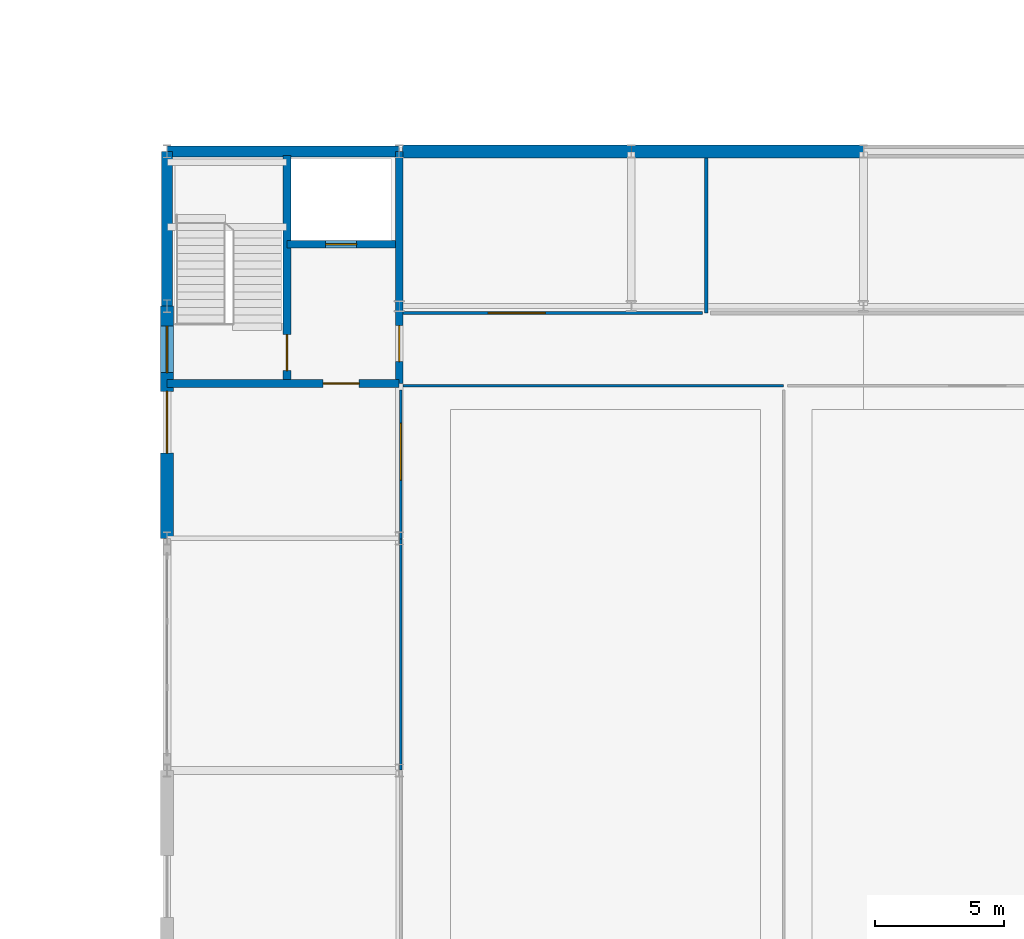
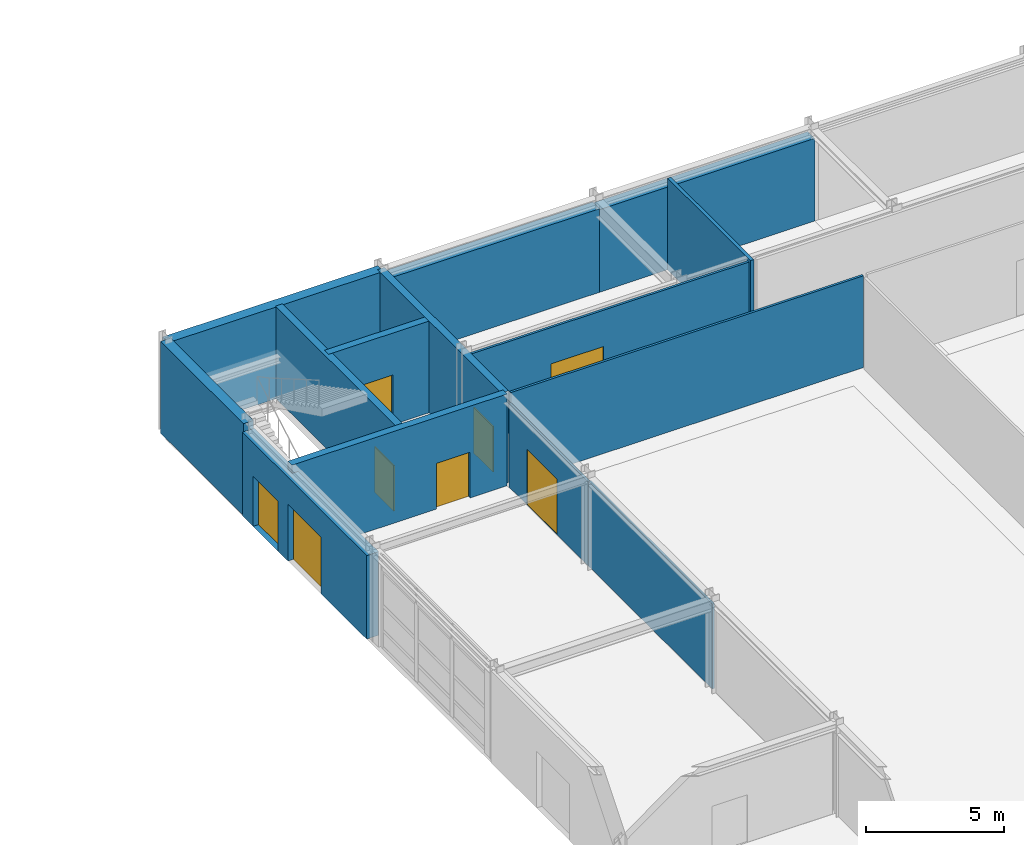
# One storey, part 64 of 72: 14 walls, 8 doors, 8 openings.
"""IFC4 building model written with IfcOpenShell, lengths in metres."""

from ifc_helpers import new_model, si_unit, direction, frame, frame_2d, origin, place, context, subcontext, project, spatial, rectangle, extrude, material, layer, layer_set, type_object, element, fill, save


model = new_model("IFC4")

# Units and contexts
model_context = context("Model", 3, precision=1e-05, world=origin(), true_north=direction((0.0, 1.0)))
body_context = subcontext(model_context, "Body", "Model", "MODEL_VIEW")
ifc_project = project(units=[si_unit("LENGTHUNIT", "METRE"), si_unit("AREAUNIT", "SQUARE_METRE"), si_unit("VOLUMEUNIT", "CUBIC_METRE"), si_unit("PLANEANGLEUNIT", "RADIAN"), si_unit("MASSUNIT", "GRAM", prefix="KILO")], contexts=[model_context])

# Site, building, storey
site_placement = place(None, origin())
site = spatial("IfcSite", under=ifc_project, at=site_placement, CompositionType="ELEMENT")
building_placement = place(site_placement, origin())
building = spatial("IfcBuilding", under=site, at=building_placement, Name="Palais des Congres Ocreval", CompositionType="ELEMENT")
storey_placement = place(building_placement, origin())
storey = spatial("IfcBuildingStorey", under=building, at=storey_placement, Name="L00", CompositionType="ELEMENT", Elevation=0.0)

# Wall, openings, doors
ifc_material_1 = material(Name="Concrete C40/50", Category="concrete")
ifc_layer_1 = layer(ifc_material_1, 0.5)
ifc_layer_set_1 = layer_set([ifc_layer_1], Name="Acoustic Ballroom Wall 500 Concrete C40/50")
wall_type_1 = type_object("IfcWallType", Name="Acoustic Ballroom Wall 500 Concrete C40/50", PredefinedType="SOLIDWALL", material=ifc_layer_set_1)
wall_1_placement = place(storey_placement, frame((99.0, 99.0, 0.0), z_axis=(0.0, 0.0, 1.0), x_axis=(0.0, 1.0, 0.0)))
wall_1 = element("IfcWall", 1, at=wall_1_placement, inside=storey, type_object=wall_type_1, Name="Exterior Wall EW01 L00", PredefinedType="SOLIDWALL", context=body_context, shape_type="SweptSolid", body=[
    extrude(rectangle(XDim=9.0, YDim=0.5, at=frame_2d((4.5, 0.0))), origin(), (0.0, 0.0, 1.0), 3.695068359375),
])
opening_1_placement = place(wall_1_placement, frame((6.425048828125, 0.0, 0.0)))
opening_1 = element("IfcOpeningElement", 2, at=opening_1_placement, cuts=wall_1, Name="Opening ED04", PredefinedType="OPENING", context=body_context, shape_type="SweptSolid", body=[
    extrude(rectangle(XDim=1.800048828125, YDim=2.199951171875, at=frame_2d((0.89990234375, 1.10009765625))), frame((0.0, 0.260009765625, 0.0), z_axis=(0.0, -1.0, 0.0), x_axis=(1.0, 0.0, 0.0)), (0.0, 0.0, 1.0), 0.52001953125),
])
opening_2_placement = place(wall_1_placement, frame((3.300048828125, 0.0, 0.0)))
opening_2 = element("IfcOpeningElement", 3, at=opening_2_placement, cuts=wall_1, Name="Opening ED03", PredefinedType="OPENING", context=body_context, shape_type="SweptSolid", body=[
    extrude(rectangle(XDim=2.39990234375, YDim=2.5, at=frame_2d((1.199951171875, 1.25))), frame((0.0, 0.260009765625, 0.0), z_axis=(0.0, -1.0, 0.0), x_axis=(1.0, 0.0, 0.0)), (0.0, 0.0, 1.0), 0.52001953125),
])
ifc_material_2 = material(Name="Anodized bronze aluminium and safety glass", Category="aluminium")
door_type_1 = type_object("IfcDoorType", Name="Ballroom Final Exit Door 2400x2500", OperationType="NOTDEFINED", PredefinedType="DOOR", material=ifc_material_2)
door_1_placement = place(opening_2_placement, origin())
door_1 = element("IfcDoor", 4, at=door_1_placement, inside=storey, type_object=door_type_1, Name="Pedestrian Final Exit Door E21", OperationType="DOUBLE_DOOR_SINGLE_SWING", OverallHeight=2.5, OverallWidth=2.39990234375, PredefinedType="DOOR", context=body_context, shape_type="SweptSolid", body=[
    extrude(rectangle(XDim=2.39990234375, YDim=2.5, at=frame_2d((1.199951171875, 1.25))), frame((0.0, 0.02490234375, 0.0), z_axis=(0.0, -1.0, 0.0), x_axis=(1.0, 0.0, 0.0)), (0.0, 0.0, 1.0), 0.050048828125),
])
fill(opening_2, door_1)
door_type_2 = type_object("IfcDoorType", Name="Stair Street Discharge Door 1800x2200", OperationType="NOTDEFINED", PredefinedType="DOOR", material=ifc_material_2)
door_2_placement = place(opening_1_placement, origin())
door_2 = element("IfcDoor", 5, at=door_2_placement, inside=storey, type_object=door_type_2, Name="Stair Final Exit Discharge Door ST07", OperationType="DOUBLE_DOOR_SINGLE_SWING", OverallHeight=2.199951171875, OverallWidth=1.800048828125, PredefinedType="DOOR", context=body_context, shape_type="SweptSolid", body=[
    extrude(rectangle(XDim=1.800048828125, YDim=2.199951171875, at=frame_2d((0.89990234375, 1.10009765625))), frame((0.0, 0.02490234375, 0.0), z_axis=(0.0, -1.0, 0.0), x_axis=(1.0, 0.0, 0.0)), (0.0, 0.0, 1.0), 0.050048828125),
])
fill(opening_1, door_2)

# Walls
wall_2_placement = place(storey_placement, frame((108.1298828125, 114.0, 0.0), z_axis=(0.0, 0.0, 1.0), x_axis=(1.0, 0.0, 0.0)))
element("IfcWall", 6, at=wall_2_placement, inside=storey, type_object=wall_type_1, Name="Exterior Wall EW01 L00", PredefinedType="SOLIDWALL", context=body_context, shape_type="SweptSolid", body=[
    extrude(rectangle(XDim=8.8701171875, YDim=0.5, at=frame_2d((4.43505859375, 0.0))), origin(), (0.0, 0.0, 1.0), 3.695068359375),
])
wall_3_placement = place(storey_placement, frame((117.0, 114.0, 0.0), z_axis=(0.0, 0.0, 1.0), x_axis=(1.0, 0.0, 0.0)))
element("IfcWall", 7, at=wall_3_placement, inside=storey, type_object=wall_type_1, Name="Exterior Wall EW01 L00", PredefinedType="SOLIDWALL", context=body_context, shape_type="SweptSolid", body=[
    extrude(rectangle(XDim=9.0, YDim=0.5, at=frame_2d((4.5, 0.0))), origin(), (0.0, 0.0, 1.0), 3.655029296875),
])
ifc_material_3 = material(Name="Moisture-resistant gypsum board")
ifc_layer_2 = layer(ifc_material_3, 0.139892578125)
ifc_layer_set_2 = layer_set([ifc_layer_2], Name="Bathroom Plumbing Chase Wall 140 Gypsum (Moisture-resistant gypsum board)")
wall_type_2 = type_object("IfcWallType", Name="Bathroom Plumbing Chase Wall 140 Gypsum", PredefinedType="PLUMBINGWALL", material=ifc_layer_set_2)
wall_4_placement = place(storey_placement, frame((119.909912109375, 107.739990234375, 0.0), z_axis=(0.0, 0.0, 1.0), x_axis=(0.0, 1.0, 0.0)))
element("IfcWall", 8, at=wall_4_placement, inside=storey, type_object=wall_type_2, Name="Interior Partition PW03 L00", PredefinedType="PLUMBINGWALL", context=body_context, shape_type="SweptSolid", body=[
    extrude(rectangle(XDim=6.005126953125, YDim=0.139892578125, at=frame_2d((3.00244140625, 0.0))), origin(), (0.0, 0.0, 1.0), 4.054931640625),
])
ifc_layer_3 = layer(ifc_material_1, 0.419921875)
ifc_layer_set_3 = layer_set([ifc_layer_3], Name="Congress Stone Facade Wall 420 Concrete C40/50")
wall_type_3 = type_object("IfcWallType", Name="Congress Stone Facade Wall 420 Concrete C40/50", PredefinedType="SOLIDWALL", material=ifc_layer_set_3)
wall_5_placement = place(storey_placement, frame((99.0, 108.0, 0.0), z_axis=(0.0, 0.0, 1.0), x_axis=(0.0, 1.0, 0.0)))
element("IfcWall", 9, at=wall_5_placement, inside=storey, type_object=wall_type_3, Name="Core Perimeter Shear Wall EW02 SC07 L00", PredefinedType="SOLIDWALL", context=body_context, shape_type="SweptSolid", body=[
    extrude(rectangle(XDim=6.0, YDim=0.419921875, at=frame_2d((3.0, 0.0))), origin(), (0.0, 0.0, 1.0), 4.054931640625),
])
wall_6_placement = place(storey_placement, frame((99.0, 114.0, 0.0), z_axis=(0.0, 0.0, 1.0), x_axis=(1.0, 0.0, 0.0)))
element("IfcWall", 10, at=wall_6_placement, inside=storey, type_object=wall_type_3, Name="Core Perimeter Shear Wall EW02 SC07 L00", PredefinedType="SOLIDWALL", context=body_context, shape_type="SweptSolid", body=[
    extrude(rectangle(XDim=9.0, YDim=0.419921875, at=frame_2d((4.5, 0.0))), origin(), (0.0, 0.0, 1.0), 4.054931640625),
])

# Wall, opening, door
ifc_layer_4 = layer(ifc_material_1, 0.300048828125)
ifc_layer_set_4 = layer_set([ifc_layer_4], Name="Core Shear Wall 300 Concrete C40/50")
wall_type_4 = type_object("IfcWallType", Name="Core Shear Wall 300 Concrete C40/50", PredefinedType="SHEAR", material=ifc_layer_set_4)
wall_7_placement = place(storey_placement, frame((99.0, 105.0, 0.0), z_axis=(0.0, 0.0, 1.0), x_axis=(1.0, 0.0, 0.0)))
wall_7 = element("IfcWall", 11, at=wall_7_placement, inside=storey, type_object=wall_type_4, Name="Core Shear Wall SC07 L00 S", PredefinedType="SHEAR", context=body_context, shape_type="SweptSolid", body=[
    extrude(rectangle(XDim=9.0, YDim=0.300048828125, at=frame_2d((4.5, 0.0))), origin(), (0.0, 0.0, 1.0), 4.054931640625),
])
opening_3_placement = place(wall_7_placement, frame((6.050048828125, 0.0, 0.0)))
opening_3 = element("IfcOpeningElement", 12, at=opening_3_placement, cuts=wall_7, Name="Opening D03", PredefinedType="OPENING", context=body_context, shape_type="SweptSolid", body=[
    extrude(rectangle(XDim=1.39990234375, YDim=2.02001953125, at=frame_2d((0.699951171875, 1.010009765625))), frame((0.0, 0.159912109375, 0.0), z_axis=(0.0, -1.0, 0.0), x_axis=(1.0, 0.0, 0.0)), (0.0, 0.0, 1.0), 0.320068359375),
])
ifc_material_4 = material(Name="Painted fire-rated steel", Category="steel")
door_type_3 = type_object("IfcDoorType", Name="Core Lobby Rated Door 1400x2020", OperationType="NOTDEFINED", PredefinedType="DOOR", material=ifc_material_4)
door_3_placement = place(opening_3_placement, origin())
door_3 = element("IfcDoor", 13, at=door_3_placement, inside=storey, type_object=door_type_3, Name="Lobby Entrance Door SC07 L00", OperationType="DOUBLE_DOOR_SINGLE_SWING", OverallHeight=2.02001953125, OverallWidth=1.39990234375, PredefinedType="DOOR", context=body_context, shape_type="SweptSolid", body=[
    extrude(rectangle(XDim=1.39990234375, YDim=2.02001953125, at=frame_2d((0.699951171875, 1.010009765625))), frame((0.0, 0.02490234375, 0.0), z_axis=(0.0, -1.0, 0.0), x_axis=(1.0, 0.0, 0.0)), (0.0, 0.0, 1.0), 0.050048828125),
])
fill(opening_3, door_3)

wall_8_placement = place(storey_placement, frame((108.0, 105.0, 0.0), z_axis=(0.0, 0.0, 1.0), x_axis=(0.0, 1.0, 0.0)))
wall_8 = element("IfcWall", 14, at=wall_8_placement, inside=storey, type_object=wall_type_4, Name="Core Shear Wall SC07 L00 E", PredefinedType="SHEAR", context=body_context, shape_type="SweptSolid", body=[
    extrude(rectangle(XDim=9.0, YDim=0.300048828125, at=frame_2d((4.5, 0.0))), origin(), (0.0, 0.0, 1.0), 4.054931640625),
])
opening_4_placement = place(wall_8_placement, frame((0.85009765625, 0.0, 0.0)))
opening_4 = element("IfcOpeningElement", 15, at=opening_4_placement, cuts=wall_8, Name="Opening D03", PredefinedType="OPENING", context=body_context, shape_type="SweptSolid", body=[
    extrude(rectangle(XDim=1.39990234375, YDim=2.02001953125, at=frame_2d((0.699951171875, 1.010009765625))), frame((0.0, 0.159912109375, 0.0), z_axis=(0.0, -1.0, 0.0), x_axis=(1.0, 0.0, 0.0)), (0.0, 0.0, 1.0), 0.320068359375),
])
door_4_placement = place(opening_4_placement, origin())
door_4 = element("IfcDoor", 16, at=door_4_placement, inside=storey, type_object=door_type_3, Name="Ballroom Concourse Lobby Door SC07 L00", OperationType="SINGLE_SWING_LEFT", OverallHeight=2.02001953125, OverallWidth=1.39990234375, PredefinedType="DOOR", context=body_context, shape_type="SweptSolid", body=[
    extrude(rectangle(XDim=1.39990234375, YDim=2.02001953125, at=frame_2d((0.699951171875, 1.010009765625))), frame((0.0, 0.02490234375, 0.0), z_axis=(0.0, -1.0, 0.0), x_axis=(1.0, 0.0, 0.0)), (0.0, 0.0, 1.0), 0.050048828125),
])
fill(opening_4, door_4)

wall_9_placement = place(storey_placement, frame((103.64990234375, 105.14990234375, 0.0), z_axis=(0.0, 0.0, 1.0), x_axis=(0.0, 1.0, 0.0)))
wall_9 = element("IfcWall", 17, at=wall_9_placement, inside=storey, type_object=wall_type_4, Name="Core Spine Shear Wall SC07 L00", PredefinedType="SHEAR", context=body_context, shape_type="SweptSolid", body=[
    extrude(rectangle(XDim=8.7001953125, YDim=0.300048828125, at=frame_2d((4.35009765625, 0.0))), origin(), (0.0, 0.0, 1.0), 4.054931640625),
])
opening_5_placement = place(wall_9_placement, frame((0.35009765625, 0.0, 0.0)))
opening_5 = element("IfcOpeningElement", 18, at=opening_5_placement, cuts=wall_9, Name="Opening D03", PredefinedType="OPENING", context=body_context, shape_type="SweptSolid", body=[
    extrude(rectangle(XDim=1.39990234375, YDim=2.02001953125, at=frame_2d((0.699951171875, 1.010009765625))), frame((0.0, 0.159912109375, 0.0), z_axis=(0.0, -1.0, 0.0), x_axis=(1.0, 0.0, 0.0)), (0.0, 0.0, 1.0), 0.320068359375),
])
door_5_placement = place(opening_5_placement, origin())
door_5 = element("IfcDoor", 19, at=door_5_placement, inside=storey, type_object=door_type_3, Name="Protected Exit Stair Door ST07 L00", OperationType="SINGLE_SWING_LEFT", OverallHeight=2.02001953125, OverallWidth=1.39990234375, PredefinedType="DOOR", context=body_context, shape_type="SweptSolid", body=[
    extrude(rectangle(XDim=1.39990234375, YDim=2.02001953125, at=frame_2d((0.699951171875, 1.010009765625))), frame((0.0, 0.02490234375, 0.0), z_axis=(0.0, -1.0, 0.0), x_axis=(1.0, 0.0, 0.0)), (0.0, 0.0, 1.0), 0.050048828125),
])
fill(opening_5, door_5)

wall_10_placement = place(storey_placement, frame((103.64990234375, 110.39990234375, 0.0), z_axis=(0.0, 0.0, 1.0), x_axis=(1.0, 0.0, 0.0)))
wall_10 = element("IfcWall", 20, at=wall_10_placement, inside=storey, type_object=wall_type_4, Name="Lift Shaft Front Wall SC07 L00", PredefinedType="SHEAR", context=body_context, shape_type="SweptSolid", body=[
    extrude(rectangle(XDim=4.2001953125, YDim=0.300048828125, at=frame_2d((2.10009765625, 0.0))), origin(), (0.0, 0.0, 1.0), 4.054931640625),
])
opening_6_placement = place(wall_10_placement, frame((1.5, 0.0, 0.0)))
opening_6 = element("IfcOpeningElement", 21, at=opening_6_placement, cuts=wall_10, Name="Opening LD02", PredefinedType="OPENING", context=body_context, shape_type="SweptSolid", body=[
    extrude(rectangle(XDim=1.199951171875, YDim=2.199951171875, at=frame_2d((0.60009765625, 1.10009765625))), frame((0.0, 0.159912109375, 0.0), z_axis=(0.0, -1.0, 0.0), x_axis=(1.0, 0.0, 0.0)), (0.0, 0.0, 1.0), 0.320068359375),
])
ifc_material_5 = material(Name="Anodized bronze steel", Category="steel")
door_type_4 = type_object("IfcDoorType", Name="Passenger and Service Lift Sliding Door 1200x2200", OperationType="NOTDEFINED", PredefinedType="DOOR", material=ifc_material_5)
door_6_placement = place(opening_6_placement, origin())
door_6 = element("IfcDoor", 22, at=door_6_placement, inside=storey, type_object=door_type_4, Name="Lift Landing Sliding Door CL2 L00", OperationType="DOUBLE_DOOR_SLIDING", OverallHeight=2.199951171875, OverallWidth=1.199951171875, PredefinedType="DOOR", context=body_context, shape_type="SweptSolid", body=[
    extrude(rectangle(XDim=1.199951171875, YDim=2.199951171875, at=frame_2d((0.60009765625, 1.10009765625))), frame((0.0, 0.02490234375, 0.0), z_axis=(0.0, -1.0, 0.0), x_axis=(1.0, 0.0, 0.0)), (0.0, 0.0, 1.0), 0.050048828125),
])
fill(opening_6, door_6)

# Wall
ifc_material_6 = material(Name="Gypsum board partition")
ifc_layer_5 = layer(ifc_material_6, 0.10009765625)
ifc_layer_set_5 = layer_set([ifc_layer_5], Name="Operable Pocket Lining Wall 100 Gypsum (Gypsum board partition)")
wall_type_5 = type_object("IfcWallType", Name="Operable Pocket Lining Wall 100 Gypsum", PredefinedType="PARTITIONING", material=ifc_layer_set_5)
wall_11_placement = place(storey_placement, frame((108.155029296875, 104.909912109375, 0.0), z_axis=(0.0, 0.0, 1.0), x_axis=(1.0, 0.0, 0.0)))
element("IfcWall", 23, at=wall_11_placement, inside=storey, type_object=wall_type_5, Name="Interior Partition IW05 L00", PredefinedType="PARTITIONING", context=body_context, shape_type="SweptSolid", body=[
    extrude(rectangle(XDim=14.744873046875, YDim=0.10009765625, at=frame_2d((7.37255859375, 0.0))), origin(), (0.0, 0.0, 1.0), 4.054931640625),
])

# Wall, opening, door
wall_12_placement = place(storey_placement, frame((108.155029296875, 107.735107421875, 0.0), z_axis=(0.0, 0.0, 1.0), x_axis=(1.0, 0.0, 0.0)))
wall_12 = element("IfcWall", 24, at=wall_12_placement, inside=storey, type_object=wall_type_5, Name="Interior Partition IW05 L00", PredefinedType="PARTITIONING", context=body_context, shape_type="SweptSolid", body=[
    extrude(rectangle(XDim=11.599853515625, YDim=0.10009765625, at=frame_2d((5.7998046875, 0.0))), origin(), (0.0, 0.0, 1.0), 4.054931640625),
])
opening_7_placement = place(wall_12_placement, frame((3.30810546875, 0.0, 0.0)))
opening_7 = element("IfcOpeningElement", 25, at=opening_7_placement, cuts=wall_12, Name="Opening D14", PredefinedType="OPENING", context=body_context, shape_type="SweptSolid", body=[
    extrude(rectangle(XDim=2.199951171875, YDim=2.449951171875, at=frame_2d((1.10009765625, 1.22509765625))), frame((0.0, 0.06005859375, 0.0), z_axis=(0.0, -1.0, 0.0), x_axis=(1.0, 0.0, 0.0)), (0.0, 0.0, 1.0), 0.1201171875),
])
ifc_material_7 = material(Name="Acoustic oak and bronze", Category="wood")
door_type_5 = type_object("IfcDoorType", Name="Grand Ballroom Acoustic Double Door 2200x2450", OperationType="NOTDEFINED", PredefinedType="DOOR", material=ifc_material_7)
door_7_placement = place(opening_7_placement, origin())
door_7 = element("IfcDoor", 26, at=door_7_placement, inside=storey, type_object=door_type_5, Name="Interior Door D14 L00", OperationType="DOUBLE_DOOR_SINGLE_SWING", OverallHeight=2.449951171875, OverallWidth=2.199951171875, PredefinedType="DOOR", context=body_context, shape_type="SweptSolid", body=[
    extrude(rectangle(XDim=2.199951171875, YDim=2.449951171875, at=frame_2d((1.10009765625, 1.22509765625))), frame((0.0, 0.02490234375, 0.0), z_axis=(0.0, -1.0, 0.0), x_axis=(1.0, 0.0, 0.0)), (0.0, 0.0, 1.0), 0.050048828125),
])
fill(opening_7, door_7)

# Wall
wall_13_placement = place(storey_placement, frame((108.06494140625, 90.02001953125, 0.0), z_axis=(0.0, 0.0, 1.0), x_axis=(0.0, 1.0, 0.0)))
element("IfcWall", 27, at=wall_13_placement, inside=storey, type_object=wall_type_5, Name="Interior Partition IW05 L00", PredefinedType="PARTITIONING", context=body_context, shape_type="SweptSolid", body=[
    extrude(rectangle(XDim=8.9599609375, YDim=0.10009765625, at=frame_2d((4.47998046875, 0.0))), origin(), (0.0, 0.0, 1.0), 3.7548828125),
])

# Wall, opening, door
wall_14_placement = place(storey_placement, frame((108.06494140625, 98.97998046875, 0.0), z_axis=(0.0, 0.0, 1.0), x_axis=(0.0, 1.0, 0.0)))
wall_14 = element("IfcWall", 28, at=wall_14_placement, inside=storey, type_object=wall_type_5, Name="Interior Partition IW05 L00", PredefinedType="PARTITIONING", context=body_context, shape_type="SweptSolid", body=[
    extrude(rectangle(XDim=5.77490234375, YDim=0.10009765625, at=frame_2d((2.887451171875, 0.0))), origin(), (0.0, 0.0, 1.0), 3.695068359375),
])
opening_8_placement = place(wall_14_placement, frame((2.27490234375, 0.0, 0.0)))
opening_8 = element("IfcOpeningElement", 29, at=opening_8_placement, cuts=wall_14, Name="Opening D14", PredefinedType="OPENING", context=body_context, shape_type="SweptSolid", body=[
    extrude(rectangle(XDim=2.199951171875, YDim=2.449951171875, at=frame_2d((1.10009765625, 1.22509765625))), frame((0.0, 0.06005859375, 0.0), z_axis=(0.0, -1.0, 0.0), x_axis=(1.0, 0.0, 0.0)), (0.0, 0.0, 1.0), 0.1201171875),
])
door_8_placement = place(opening_8_placement, origin())
door_8 = element("IfcDoor", 30, at=door_8_placement, inside=storey, type_object=door_type_5, Name="Interior Door D14 L00", OperationType="DOUBLE_DOOR_SINGLE_SWING", OverallHeight=2.449951171875, OverallWidth=2.199951171875, PredefinedType="DOOR", context=body_context, shape_type="SweptSolid", body=[
    extrude(rectangle(XDim=2.199951171875, YDim=2.449951171875, at=frame_2d((1.10009765625, 1.22509765625))), frame((0.0, 0.02490234375, 0.0), z_axis=(0.0, -1.0, 0.0), x_axis=(1.0, 0.0, 0.0)), (0.0, 0.0, 1.0), 0.050048828125),
])
fill(opening_8, door_8)

save(model, "model.ifc")
